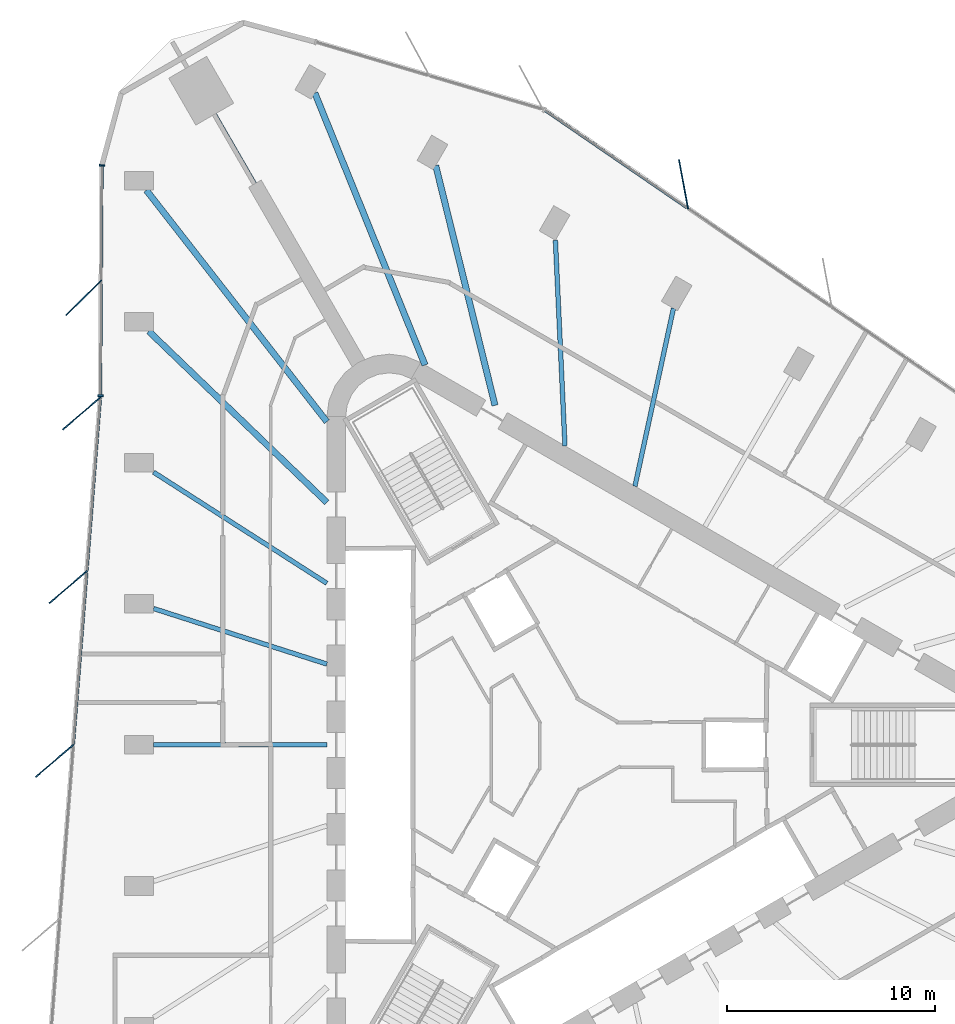
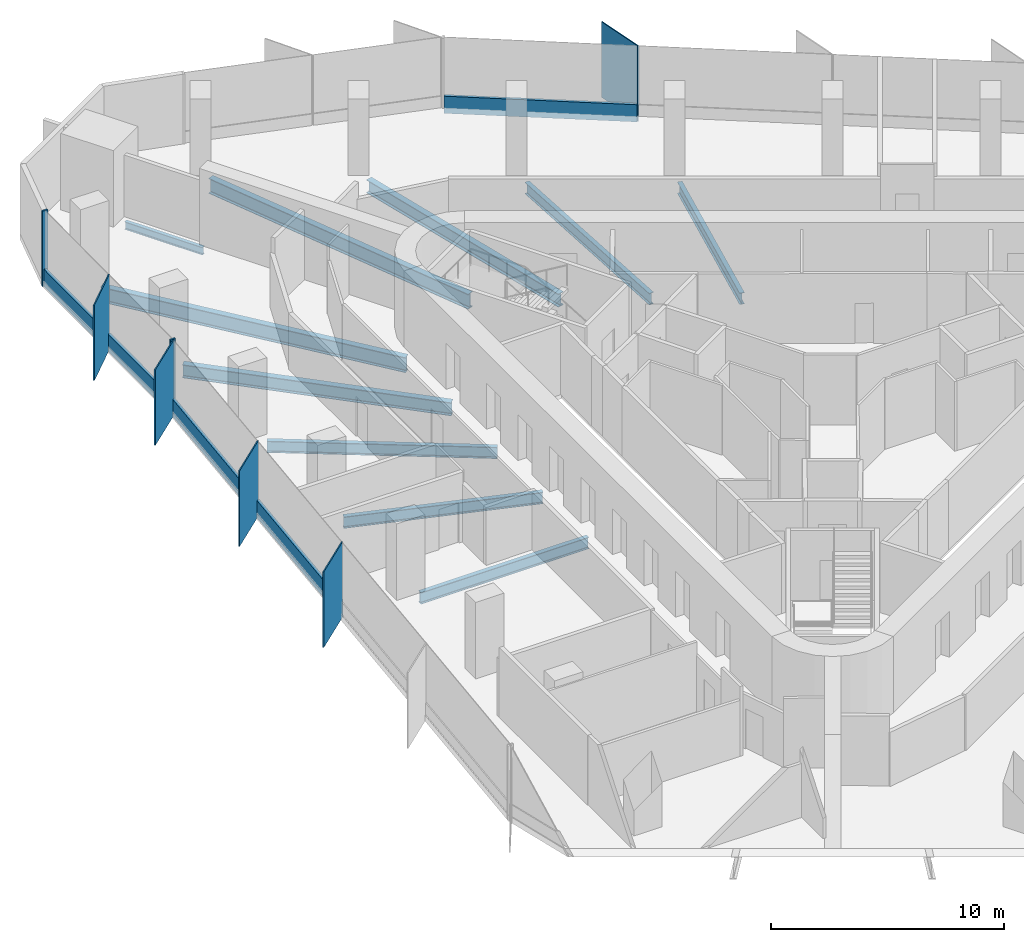
# One storey, part 4 of 13: 12 members, 10 beams, 3 elements without a shape of their own.
"""IFC4 building model written with IfcOpenShell, lengths in metres."""

from ifc_helpers import new_model, si_unit, direction, frame, origin, origin_2d, place, context, subcontext, project, spatial, rectangle, i_section, extrude, material, material_profile, profile_set, type_object, element, aggregate, save


model = new_model("IFC4")

# Units and contexts
model_context = context("Model", 3, precision=1e-05, world=origin(), true_north=direction((0.0, 1.0)))
body_context = subcontext(model_context, "Body", "Model", "MODEL_VIEW")
ifc_project = project(units=[si_unit("LENGTHUNIT", "METRE"), si_unit("AREAUNIT", "SQUARE_METRE"), si_unit("VOLUMEUNIT", "CUBIC_METRE"), si_unit("PLANEANGLEUNIT", "RADIAN"), si_unit("MASSUNIT", "GRAM", prefix="KILO")], contexts=[model_context])

# Site, building, storey
site_placement = place(None, origin())
site = spatial("IfcSite", under=ifc_project, at=site_placement, CompositionType="ELEMENT")
building_placement = place(site_placement, origin())
building = spatial("IfcBuilding", under=site, at=building_placement, Name="Tanit Gate Tower", CompositionType="ELEMENT")
storey_placement = place(building_placement, frame((0.0, 0.0, 273.199951171875)))
storey = spatial("IfcBuildingStorey", under=building, at=storey_placement, Name="L62", CompositionType="ELEMENT", Elevation=273.199951171875)

# Curtain wall, member
ifc_material_1 = material(Name="Aluminium bronze anodised and glass", Category="aluminium")
curtain_wall_type = type_object("IfcCurtainWallType", Name="Curtain wall typical mid", PredefinedType="NOTDEFINED", material=ifc_material_1)
curtain_wall_1_placement = place(storey_placement, origin())
curtain_wall_1 = element("IfcCurtainWall", 1, at=curtain_wall_1_placement, inside=storey, type_object=curtain_wall_type, Name="Curtain wall L62 NE2", PredefinedType="NOTDEFINED")
ifc_material_2 = material(Name="Aluminium bronze anodised", Category="aluminium")
ifc_material_profile_1 = material_profile(ifc_material_2, rectangle(XDim=2.39990234375, YDim=0.055908203125, at=origin_2d()), Name="56x2400 bronze fin mullion")
ifc_profile_set_1 = profile_set([ifc_material_profile_1], Name="Aluminium bronze anodised")
member_type_1 = type_object("IfcMemberType", Name="FIN MULLION 56x2400 bronze", PredefinedType="MULLION", material=ifc_profile_set_1)
member_1_placement = place(storey_placement, frame((5.025146484375, 26.9150390625, -0.300048828125), z_axis=(0.0, 0.0, 1.0), x_axis=(0.182983013261, -0.983116074967, 0.0)))
member_1 = element("IfcMember", 2, at=member_1_placement, type_object=member_type_1, Name="Fin mullion L62 NE2.4", PredefinedType="MULLION", context=body_context, shape_type="SweptSolid", body=[
    extrude(rectangle(XDim=2.39990234375, YDim=0.055908203125, at=origin_2d()), origin(), (0.0, 0.0, 1.0), 3.9501953125),
])

curtain_wall_2_placement = place(storey_placement, origin())
curtain_wall_2 = element("IfcCurtainWall", 3, at=curtain_wall_2_placement, inside=storey, type_object=curtain_wall_type, Name="Curtain wall L62 W1", PredefinedType="NOTDEFINED")
member_2_placement = place(storey_placement, frame((-23.77587890625, 21.46826171875, -0.300048828125), z_axis=(0.0, 0.0, 1.0), x_axis=(0.711599250518, 0.702585586717, 0.0)))
member_2 = element("IfcMember", 4, at=member_2_placement, type_object=member_type_1, Name="Fin mullion L62 W1.2", PredefinedType="MULLION", context=body_context, shape_type="SweptSolid", body=[
    extrude(rectangle(XDim=2.39990234375, YDim=0.055908203125, at=origin_2d()), origin(), (0.0, 0.0, 1.0), 3.9501953125),
])

# Curtain wall, members
curtain_wall_3_placement = place(storey_placement, origin())
curtain_wall_3 = element("IfcCurtainWall", 5, at=curtain_wall_3_placement, inside=storey, type_object=curtain_wall_type, Name="Curtain wall L62 W2", PredefinedType="NOTDEFINED")
member_3_placement = place(storey_placement, frame((-23.871337890625, 15.919189453125, -0.300048828125), z_axis=(0.0, 0.0, 1.0), x_axis=(0.75991198916, 0.650025975428, 0.0)))
member_3 = element("IfcMember", 6, at=member_3_placement, type_object=member_type_1, Name="Fin mullion L62 W2.1", PredefinedType="MULLION", context=body_context, shape_type="SweptSolid", body=[
    extrude(rectangle(XDim=2.39990234375, YDim=0.055908203125, at=origin_2d()), origin(), (0.0, 0.0, 1.0), 3.9501953125),
])
member_4_placement = place(storey_placement, frame((-24.521484375, 7.57763671875, -0.300048828125), z_axis=(0.0, 0.0, 1.0), x_axis=(0.75991198916, 0.650025975428, 0.0)))
member_4 = element("IfcMember", 7, at=member_4_placement, type_object=member_type_1, Name="Fin mullion L62 W2.2", PredefinedType="MULLION", context=body_context, shape_type="SweptSolid", body=[
    extrude(rectangle(XDim=2.39990234375, YDim=0.055908203125, at=origin_2d()), origin(), (0.0, 0.0, 1.0), 3.9501953125),
])
member_5_placement = place(storey_placement, frame((-25.171630859375, -0.763916015625, -0.300048828125), z_axis=(0.0, 0.0, 1.0), x_axis=(0.75991198916, 0.650025975428, 0.0)))
member_5 = element("IfcMember", 8, at=member_5_placement, type_object=member_type_1, Name="Fin mullion L62 W2.3", PredefinedType="MULLION", context=body_context, shape_type="SweptSolid", body=[
    extrude(rectangle(XDim=2.39990234375, YDim=0.055908203125, at=origin_2d()), origin(), (0.0, 0.0, 1.0), 3.9501953125),
])

# Member
ifc_material_3 = material(Name="Aluminium bronze anodised", Category="aluminium")
ifc_material_profile_2 = material_profile(ifc_material_3, rectangle(XDim=0.260009765625, YDim=0.080078125, at=origin_2d()), Name="80x260 bronze mullion")
ifc_profile_set_2 = profile_set([ifc_material_profile_2], Name="Aluminium bronze anodised")
member_type_2 = type_object("IfcMemberType", Name="Mullion 80x260 typical mid", PredefinedType="MULLION", material=ifc_profile_set_2)
member_6_placement = place(storey_placement, frame((-22.90185546875, 27.82763671875, -0.300048828125), z_axis=(0.0, 0.0, 1.0), x_axis=(0.99997968826, -0.006373622797, 0.0)))
member_6 = element("IfcMember", 9, at=member_6_placement, type_object=member_type_2, Name="Mullion L62 W1.1", PredefinedType="MULLION", context=body_context, shape_type="SweptSolid", body=[
    extrude(rectangle(XDim=0.260009765625, YDim=0.080078125, at=origin_2d()), origin(), (0.0, 0.0, 1.0), 3.9501953125),
])

member_7_placement = place(storey_placement, frame((-22.97216796875, 16.765380859375, -0.300048828125), z_axis=(0.0, 0.0, 1.0), x_axis=(0.99997968826, -0.006373622797, 0.0)))
member_7 = element("IfcMember", 10, at=member_7_placement, type_object=member_type_2, Name="Mullion L62 W1.3", PredefinedType="MULLION", context=body_context, shape_type="SweptSolid", body=[
    extrude(rectangle(XDim=0.260009765625, YDim=0.080078125, at=origin_2d()), origin(), (0.0, 0.0, 1.0), 3.9501953125),
])

# Beams
ifc_material_4 = material(Name="Steel S355", Category="steel")
ifc_material_profile_3 = material_profile(ifc_material_4, i_section(OverallWidth=0.300048828125, OverallDepth=0.68994140625, WebThickness=0.014404296875, FlangeThickness=0.027099609375, FilletRadius=0.027099609375, at=origin_2d()), Name="HEA 700")
ifc_profile_set_3 = profile_set([ifc_material_profile_3], Name="Steel S355")
beam_type_1 = type_object("IfcBeamType", Name="RADIAL GIRDER HEA 700 S355", PredefinedType="BEAM", material=ifc_profile_set_3)
beam_1_placement = place(storey_placement, frame((-6.875, 27.818115234375, -0.64501953125), z_axis=(0.239929921854, -0.970790210395, 0.0), x_axis=(0.970790210395, 0.239929921854, 0.0)))
element("IfcBeam", 11, at=beam_1_placement, inside=storey, type_object=beam_type_1, Name="RADIAL GIRDER", PredefinedType="BEAM", context=body_context, shape_type="SweptSolid", body=[
    extrude(i_section(OverallWidth=0.300048828125, OverallDepth=0.68994140625, WebThickness=0.014404296875, FlangeThickness=0.027099609375, FilletRadius=0.027099609375, at=origin_2d()), origin(), (0.0, 0.0, 1.0), 11.86474609375),
])
beam_2_placement = place(storey_placement, frame((-20.653564453125, 19.86279296875, -0.64501953125), z_axis=(0.720779680612, -0.693164231634, 0.0), x_axis=(0.693164231634, 0.720779680612, 0.0)))
element("IfcBeam", 12, at=beam_2_placement, inside=storey, type_object=beam_type_1, Name="RADIAL GIRDER", PredefinedType="BEAM", context=body_context, shape_type="SweptSolid", body=[
    extrude(i_section(OverallWidth=0.300048828125, OverallDepth=0.68994140625, WebThickness=0.014404296875, FlangeThickness=0.027099609375, FilletRadius=0.027099609375, at=origin_2d()), origin(), (0.0, 0.0, 1.0), 11.8642578125),
])
ifc_material_5 = material(Name="Steel S355", Category="steel")
ifc_material_profile_4 = material_profile(ifc_material_5, i_section(OverallWidth=0.300048828125, OverallDepth=0.7900390625, WebThickness=0.014892578125, FlangeThickness=0.028076171875, FilletRadius=0.030029296875, at=origin_2d()), Name="HEA 800")
ifc_profile_set_4 = profile_set([ifc_material_profile_4], Name="Steel S355")
beam_type_2 = type_object("IfcBeamType", Name="RADIAL GIRDER HEA 800 S355", PredefinedType="BEAM", material=ifc_profile_set_4)
beam_3_placement = place(storey_placement, frame((-12.680419921875, 31.3046875, -0.695068359375), z_axis=(0.375439354179, -0.926846962197, 0.0), x_axis=(0.926846962197, 0.375439354179, 0.0)))
element("IfcBeam", 13, at=beam_3_placement, inside=storey, type_object=beam_type_2, Name="RADIAL GIRDER", PredefinedType="BEAM", context=body_context, shape_type="SweptSolid", body=[
    extrude(i_section(OverallWidth=0.300048828125, OverallDepth=0.7900390625, WebThickness=0.014892578125, FlangeThickness=0.028076171875, FilletRadius=0.030029296875, at=origin_2d()), origin(), (0.0, 0.0, 1.0), 14.09619140625),
])
beam_4_placement = place(storey_placement, frame((-20.7705078125, 26.6337890625, -0.695068359375), z_axis=(0.614960509334, -0.788557906536, 0.0), x_axis=(0.788557906536, 0.614960509334, 0.0)))
element("IfcBeam", 14, at=beam_4_placement, inside=storey, type_object=beam_type_2, Name="RADIAL GIRDER", PredefinedType="BEAM", context=body_context, shape_type="SweptSolid", body=[
    extrude(i_section(OverallWidth=0.300048828125, OverallDepth=0.7900390625, WebThickness=0.014892578125, FlangeThickness=0.028076171875, FilletRadius=0.030029296875, at=origin_2d()), origin(), (0.0, 0.0, 1.0), 14.095947265625),
])
ifc_material_6 = material(Name="Steel S355", Category="steel")
ifc_material_profile_5 = material_profile(ifc_material_6, i_section(OverallWidth=0.179931640625, OverallDepth=0.39990234375, WebThickness=0.008544921875, FlangeThickness=0.013427734375, FilletRadius=0.02099609375, at=origin_2d()), Name="IPE 400")
ifc_profile_set_5 = profile_set([ifc_material_profile_5], Name="Steel S355")
beam_type_3 = type_object("IfcBeamType", Name="RADIAL GIRDER IPE 400 S355", PredefinedType="BEAM", material=ifc_profile_set_5)
beam_5_placement = place(storey_placement, frame((-17.485107421875, 30.28515625, -0.5), z_axis=(0.499980071345, -0.866036909293, 0.0), x_axis=(0.866036909293, 0.499980071345, 0.0)))
element("IfcBeam", 15, at=beam_5_placement, inside=storey, type_object=beam_type_3, Name="RADIAL GIRDER", PredefinedType="BEAM", context=body_context, shape_type="SweptSolid", body=[
    extrude(i_section(OverallWidth=0.179931640625, OverallDepth=0.39990234375, WebThickness=0.008544921875, FlangeThickness=0.013427734375, FilletRadius=0.02099609375, at=origin_2d()), origin(), (0.0, 0.0, 1.0), 3.855712890625),
])
ifc_material_7 = material(Name="Steel S355", Category="steel")
ifc_material_profile_6 = material_profile(ifc_material_7, i_section(OverallWidth=0.219970703125, OverallDepth=0.60009765625, WebThickness=0.011962890625, FlangeThickness=0.01904296875, FilletRadius=0.02392578125, at=origin_2d()), Name="IPE 600")
ifc_profile_set_6 = profile_set([ifc_material_profile_6], Name="Steel S355")
beam_type_4 = type_object("IfcBeamType", Name="RADIAL GIRDER IPE 600 S355", PredefinedType="BEAM", material=ifc_profile_set_6)
beam_6_placement = place(storey_placement, frame((4.541259765625, 20.958740234375, -0.599853515625), z_axis=(-0.211767137826, -0.977320151914, 0.0), x_axis=(0.977320151914, -0.211767137826, 0.0)))
element("IfcBeam", 16, at=beam_6_placement, inside=storey, type_object=beam_type_4, Name="RADIAL GIRDER", PredefinedType="BEAM", context=body_context, shape_type="SweptSolid", body=[
    extrude(i_section(OverallWidth=0.219970703125, OverallDepth=0.60009765625, WebThickness=0.011962890625, FlangeThickness=0.01904296875, FilletRadius=0.02392578125, at=origin_2d()), origin(), (0.0, 0.0, 1.0), 8.736572265625),
])
beam_7_placement = place(storey_placement, frame((-1.12841796875, 24.232177734375, -0.599853515625), z_axis=(0.046517005863, -0.998917498178, 0.0), x_axis=(0.998917498178, 0.046517005863, 0.0)))
element("IfcBeam", 17, at=beam_7_placement, inside=storey, type_object=beam_type_4, Name="RADIAL GIRDER", PredefinedType="BEAM", context=body_context, shape_type="SweptSolid", body=[
    extrude(i_section(OverallWidth=0.219970703125, OverallDepth=0.60009765625, WebThickness=0.011962890625, FlangeThickness=0.01904296875, FilletRadius=0.02392578125, at=origin_2d()), origin(), (0.0, 0.0, 1.0), 9.8828125),
])
beam_8_placement = place(storey_placement, frame((-20.42138671875, 13.09326171875, -0.599853515625), z_axis=(0.841829634381, -0.539743334075, 0.0), x_axis=(0.539743334075, 0.841829634381, 0.0)))
element("IfcBeam", 18, at=beam_8_placement, inside=storey, type_object=beam_type_4, Name="RADIAL GIRDER", PredefinedType="BEAM", context=body_context, shape_type="SweptSolid", body=[
    extrude(i_section(OverallWidth=0.219970703125, OverallDepth=0.60009765625, WebThickness=0.011962890625, FlangeThickness=0.01904296875, FilletRadius=0.02392578125, at=origin_2d()), origin(), (0.0, 0.0, 1.0), 9.88232421875),
])
beam_9_placement = place(storey_placement, frame((-20.42138671875, 6.546630859375, -0.599853515625), z_axis=(0.952264375412, -0.305274563828, 0.0), x_axis=(0.305274563828, 0.952264375412, 0.0)))
element("IfcBeam", 19, at=beam_9_placement, inside=storey, type_object=beam_type_4, Name="RADIAL GIRDER", PredefinedType="BEAM", context=body_context, shape_type="SweptSolid", body=[
    extrude(i_section(OverallWidth=0.219970703125, OverallDepth=0.60009765625, WebThickness=0.011962890625, FlangeThickness=0.01904296875, FilletRadius=0.02392578125, at=origin_2d()), origin(), (0.0, 0.0, 1.0), 8.736328125),
])
beam_10_placement = place(storey_placement, frame((-20.42138671875, 0.0, -0.599853515625), z_axis=(1.0, 0.0, 0.0), x_axis=(0.0, 1.0, 0.0)))
element("IfcBeam", 20, at=beam_10_placement, inside=storey, type_object=beam_type_4, Name="RADIAL GIRDER", PredefinedType="BEAM", context=body_context, shape_type="SweptSolid", body=[
    extrude(i_section(OverallWidth=0.219970703125, OverallDepth=0.60009765625, WebThickness=0.011962890625, FlangeThickness=0.01904296875, FilletRadius=0.02392578125, at=origin_2d()), origin(), (0.0, 0.0, 1.0), 8.3193359375),
])

# Member
ifc_material_8 = material(Name="Aluminium bronze anodised", Category="aluminium")
ifc_material_profile_7 = material_profile(ifc_material_8, rectangle(XDim=0.139892578125, YDim=0.89990234375, at=origin_2d()), Name="140x900 bronze transom")
ifc_profile_set_7 = profile_set([ifc_material_profile_7], Name="Aluminium bronze anodised")
member_type_3 = type_object("IfcMemberType", Name="Transom 140x900 typical mid", PredefinedType="USERDEFINED", material=ifc_profile_set_7)
member_8_placement = place(storey_placement, frame((5.2080078125, 25.77880859375, 0.150146484375), z_axis=(-0.824560783398, 0.565773377318, 0.0), x_axis=(-0.565773377318, -0.824560783398, 0.0)))
member_8 = element("IfcMember", 21, at=member_8_placement, type_object=member_type_3, Name="Transom L62 NE2.4", ObjectType="TRANSOM", PredefinedType="USERDEFINED", context=body_context, shape_type="SweptSolid", body=[
    extrude(rectangle(XDim=0.139892578125, YDim=0.89990234375, at=origin_2d()), origin(), (0.0, 0.0, 1.0), 8.286865234375),
])

aggregate(curtain_wall_1, [member_1, member_8])

member_9_placement = place(storey_placement, frame((-22.902099609375, 27.787841796875, 0.150146484375), z_axis=(-0.006359599087, -0.999979777545, 0.0), x_axis=(0.999979777545, -0.006359599087, 0.0)))
member_9 = element("IfcMember", 22, at=member_9_placement, type_object=member_type_3, Name="Transom L62 W1.1", ObjectType="TRANSOM", PredefinedType="USERDEFINED", context=body_context, shape_type="SweptSolid", body=[
    extrude(rectangle(XDim=0.139892578125, YDim=0.89990234375, at=origin_2d()), origin(), (0.0, 0.0, 1.0), 5.451171875),
])

member_10_placement = place(storey_placement, frame((-22.937255859375, 22.256591796875, 0.150146484375), z_axis=(-0.006359314285, -0.999979779356, 0.0), x_axis=(0.999979779356, -0.006359314285, 0.0)))
member_10 = element("IfcMember", 23, at=member_10_placement, type_object=member_type_3, Name="Transom L62 W1.2", ObjectType="TRANSOM", PredefinedType="USERDEFINED", context=body_context, shape_type="SweptSolid", body=[
    extrude(rectangle(XDim=0.139892578125, YDim=0.89990234375, at=origin_2d()), origin(), (0.0, 0.0, 1.0), 5.451416015625),
])

aggregate(curtain_wall_2, [member_6, member_2, member_7, member_9, member_10])

member_11_placement = place(storey_placement, frame((-22.978759765625, 16.6455078125, 0.150146484375), z_axis=(-0.07769000697, -0.996977563848, 0.0), x_axis=(0.996977563848, -0.07769000697, 0.0)))
member_11 = element("IfcMember", 24, at=member_11_placement, type_object=member_type_3, Name="Transom L62 W2.1", ObjectType="TRANSOM", PredefinedType="USERDEFINED", context=body_context, shape_type="SweptSolid", body=[
    extrude(rectangle(XDim=0.139892578125, YDim=0.89990234375, at=origin_2d()), origin(), (0.0, 0.0, 1.0), 8.286865234375),
])

member_12_placement = place(storey_placement, frame((-23.62890625, 8.303955078125, 0.150146484375), z_axis=(-0.07768772509, -0.996977741662, 0.0), x_axis=(0.996977741662, -0.07768772509, 0.0)))
member_12 = element("IfcMember", 25, at=member_12_placement, type_object=member_type_3, Name="Transom L62 W2.2", ObjectType="TRANSOM", PredefinedType="USERDEFINED", context=body_context, shape_type="SweptSolid", body=[
    extrude(rectangle(XDim=0.139892578125, YDim=0.89990234375, at=origin_2d()), origin(), (0.0, 0.0, 1.0), 8.287109375),
])

aggregate(curtain_wall_3, [member_3, member_4, member_5, member_11, member_12])

save(model, "model.ifc")
